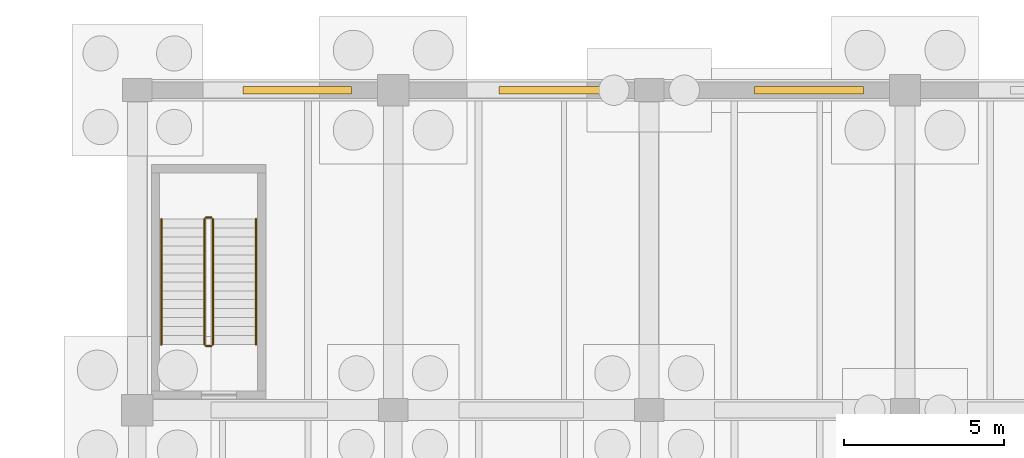
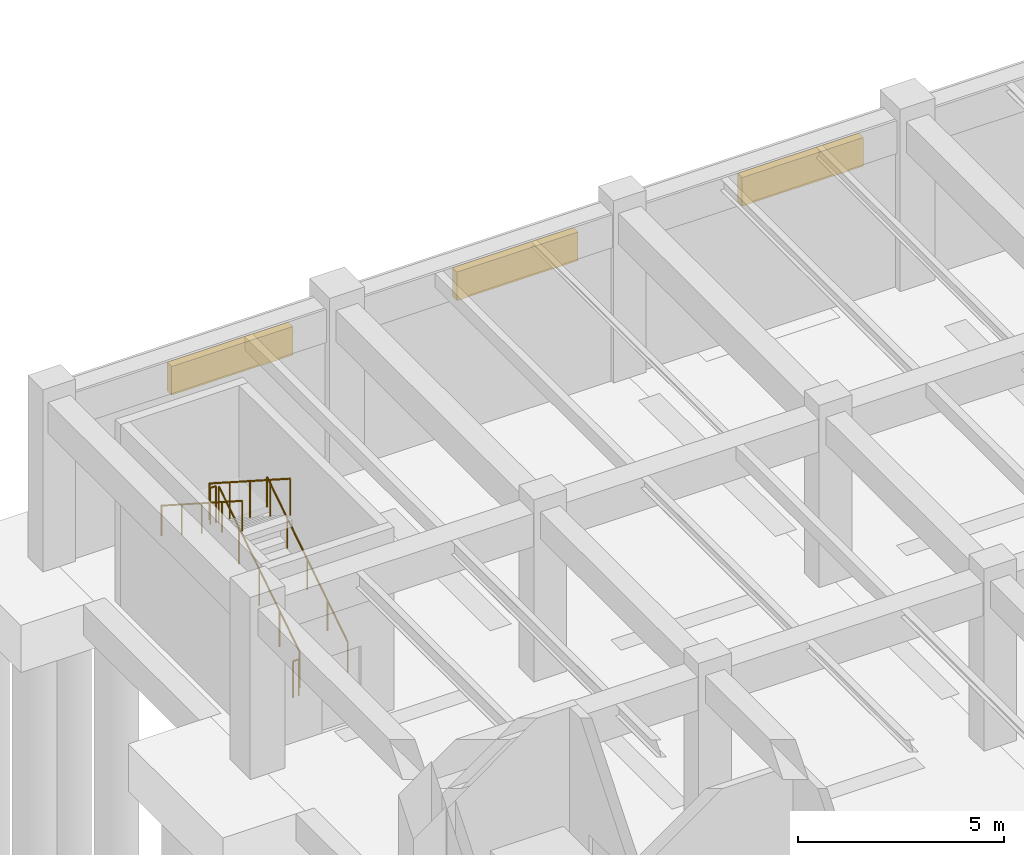
# One storey, part 41 of 44: 6 railings, 3 shading devices.
"""IFC4 building model written with IfcOpenShell, lengths in metres."""

from ifc_helpers import new_model, si_unit, direction, frame, origin, origin_2d, place, context, subcontext, project, spatial, rectangle, circle, extrude, material, type_object, element, save


model = new_model("IFC4")

# Units and contexts
model_context = context("Model", 3, precision=1e-05, world=origin(), true_north=direction((0.0, 1.0)))
body_context = subcontext(model_context, "Body", "Model", "MODEL_VIEW")
ifc_project = project(units=[si_unit("LENGTHUNIT", "METRE"), si_unit("AREAUNIT", "SQUARE_METRE"), si_unit("VOLUMEUNIT", "CUBIC_METRE"), si_unit("PLANEANGLEUNIT", "RADIAN"), si_unit("MASSUNIT", "GRAM", prefix="KILO")], contexts=[model_context])

# Site, building, storey
site_placement = place(None, origin())
site = spatial("IfcSite", under=ifc_project, at=site_placement, CompositionType="ELEMENT")
building_placement = place(site_placement, origin())
building = spatial("IfcBuilding", under=site, at=building_placement, Name="Pecanmere Concourse Central Library", CompositionType="ELEMENT")
storey_placement = place(building_placement, frame((0.0, 0.0, -5.39990234375)))
storey = spatial("IfcBuildingStorey", under=building, at=storey_placement, Name="B1", CompositionType="ELEMENT", Elevation=-5.39990234375)

# Railings
ifc_material_1 = material(Name="Painted architectural steel ASTM A36", Category="steel")
railing_type_1 = type_object("IfcRailingType", Name="RAIL_STAIR_GUARD", PredefinedType="GUARDRAIL", material=ifc_material_1)
railing_1_placement = place(storey_placement, frame((74.360107421875, 116.050048828125, 0.179931640625)))
element("IfcRailing", 1, at=railing_1_placement, inside=storey, type_object=railing_type_1, Name="B1 ST-03 Guard 1", PredefinedType="GUARDRAIL", context=body_context, shape_type="SweptSolid", body=[
    extrude(circle(Radius=0.02392578125, at=origin_2d()), frame((0.0, 0.0, 1.076171875), z_axis=(0.0, 0.841171666519, 0.540768182723), x_axis=(-1.0, 0.0, 0.0)), (0.0, 0.0, 1.0), 4.66015625),
    extrude(circle(Radius=0.02099609375, at=origin_2d()), origin(), (0.0, 0.0, 1.0), 1.052001953125),
    extrude(circle(Radius=0.02099609375, at=origin_2d()), frame((0.0, 0.97998046875, 0.6298828125)), (0.0, 0.0, 1.0), 1.052001953125),
    extrude(circle(Radius=0.02099609375, at=origin_2d()), frame((0.0, 1.9599609375, 1.260009765625)), (0.0, 0.0, 1.0), 1.052001953125),
    extrude(circle(Radius=0.02099609375, at=origin_2d()), frame((0.0, 2.93994140625, 1.89013671875)), (0.0, 0.0, 1.0), 1.052001953125),
    extrude(circle(Radius=0.02099609375, at=origin_2d()), frame((0.0, 3.919921875, 2.52001953125)), (0.0, 0.0, 1.0), 1.052001953125),
])
railing_2_placement = place(storey_placement, frame((74.31005859375, 120.02001953125, 2.699951171875)))
element("IfcRailing", 2, at=railing_2_placement, inside=storey, type_object=railing_type_1, Name="B1 ST-03 Guard 2", PredefinedType="GUARDRAIL", context=body_context, shape_type="SweptSolid", body=[
    extrude(circle(Radius=0.02392578125, at=origin_2d()), frame((0.0, 0.0, 1.076171875), z_axis=(-1.0, 0.0, 0.0), x_axis=(0.0, -1.0, 0.0)), (0.0, 0.0, 1.0), 0.16015625),
    extrude(circle(Radius=0.02099609375, at=origin_2d()), origin(), (0.0, 0.0, 1.0), 1.052001953125),
    extrude(circle(Radius=0.02099609375, at=origin_2d()), frame((-0.16015625, 0.0, 0.0)), (0.0, 0.0, 1.0), 1.052001953125),
])
railing_3_placement = place(storey_placement, frame((74.10009765625, 119.969970703125, 2.8798828125)))
element("IfcRailing", 3, at=railing_3_placement, inside=storey, type_object=railing_type_1, Name="B1 ST-03 Guard 3", PredefinedType="GUARDRAIL", context=body_context, shape_type="SweptSolid", body=[
    extrude(circle(Radius=0.02392578125, at=origin_2d()), frame((0.0, 0.0, 1.076171875), z_axis=(0.0, -0.841171666519, 0.540768182723), x_axis=(1.0, 0.0, 0.0)), (0.0, 0.0, 1.0), 4.66015625),
    extrude(circle(Radius=0.02099609375, at=origin_2d()), origin(), (0.0, 0.0, 1.0), 1.052001953125),
    extrude(circle(Radius=0.02099609375, at=origin_2d()), frame((0.0, -0.97998046875, 0.6298828125)), (0.0, 0.0, 1.0), 1.052001953125),
    extrude(circle(Radius=0.02099609375, at=origin_2d()), frame((0.0, -1.9599609375, 1.260009765625)), (0.0, 0.0, 1.0), 1.052001953125),
    extrude(circle(Radius=0.02099609375, at=origin_2d()), frame((0.0, -2.93994140625, 1.89013671875)), (0.0, 0.0, 1.0), 1.052001953125),
    extrude(circle(Radius=0.02099609375, at=origin_2d()), frame((0.0, -3.919921875, 2.52001953125)), (0.0, 0.0, 1.0), 1.052001953125),
])
railing_4_placement = place(storey_placement, frame((74.31005859375, 116.0, 0.0)))
element("IfcRailing", 4, at=railing_4_placement, inside=storey, type_object=railing_type_1, Name="B1 ST-03 Guard 4", PredefinedType="GUARDRAIL", context=body_context, shape_type="SweptSolid", body=[
    extrude(circle(Radius=0.02392578125, at=origin_2d()), frame((0.0, 0.0, 1.076171875), z_axis=(-1.0, 0.0, 0.0), x_axis=(0.0, -1.0, 0.0)), (0.0, 0.0, 1.0), 0.16015625),
    extrude(circle(Radius=0.02099609375, at=origin_2d()), origin(), (0.0, 0.0, 1.0), 1.052001953125),
    extrude(circle(Radius=0.02099609375, at=origin_2d()), frame((-0.16015625, 0.0, 0.0)), (0.0, 0.0, 1.0), 1.052001953125),
])
ifc_material_2 = material(Name="Brushed stainless steel Grade 316", Category="steel")
railing_type_2 = type_object("IfcRailingType", Name="RAIL_STAIR_HR", PredefinedType="HANDRAIL", material=ifc_material_2)
railing_5_placement = place(storey_placement, frame((75.7099609375, 116.050048828125, 0.179931640625)))
element("IfcRailing", 5, at=railing_5_placement, inside=storey, type_object=railing_type_2, Name="B1 ST-03 Handrail 1", PredefinedType="HANDRAIL", context=body_context, shape_type="SweptSolid", body=[
    extrude(circle(Radius=0.02392578125, at=origin_2d()), frame((0.0, 0.0, 0.89111328125), z_axis=(0.0, 0.841171666519, 0.540768182723), x_axis=(-1.0, 0.0, 0.0)), (0.0, 0.0, 1.0), 4.66015625),
    extrude(circle(Radius=0.02099609375, at=origin_2d()), origin(), (0.0, 0.0, 1.0), 0.866943359375),
    extrude(circle(Radius=0.02099609375, at=origin_2d()), frame((0.0, 0.97998046875, 0.6298828125)), (0.0, 0.0, 1.0), 0.866943359375),
    extrude(circle(Radius=0.02099609375, at=origin_2d()), frame((0.0, 1.9599609375, 1.260009765625)), (0.0, 0.0, 1.0), 0.866943359375),
    extrude(circle(Radius=0.02099609375, at=origin_2d()), frame((0.0, 2.93994140625, 1.89013671875)), (0.0, 0.0, 1.0), 0.866943359375),
    extrude(circle(Radius=0.02099609375, at=origin_2d()), frame((0.0, 3.919921875, 2.52001953125)), (0.0, 0.0, 1.0), 0.866943359375),
])
railing_6_placement = place(storey_placement, frame((72.75, 119.969970703125, 2.8798828125)))
element("IfcRailing", 6, at=railing_6_placement, inside=storey, type_object=railing_type_2, Name="B1 ST-03 Handrail 2", PredefinedType="HANDRAIL", context=body_context, shape_type="SweptSolid", body=[
    extrude(circle(Radius=0.02392578125, at=origin_2d()), frame((0.0, 0.0, 0.89111328125), z_axis=(0.0, -0.841171666519, 0.540768182723), x_axis=(1.0, 0.0, 0.0)), (0.0, 0.0, 1.0), 4.66015625),
    extrude(circle(Radius=0.02099609375, at=origin_2d()), origin(), (0.0, 0.0, 1.0), 0.866943359375),
    extrude(circle(Radius=0.02099609375, at=origin_2d()), frame((0.0, -0.97998046875, 0.6298828125)), (0.0, 0.0, 1.0), 0.866943359375),
    extrude(circle(Radius=0.02099609375, at=origin_2d()), frame((0.0, -1.9599609375, 1.260009765625)), (0.0, 0.0, 1.0), 0.866943359375),
    extrude(circle(Radius=0.02099609375, at=origin_2d()), frame((0.0, -2.93994140625, 1.89013671875)), (0.0, 0.0, 1.0), 0.866943359375),
    extrude(circle(Radius=0.02099609375, at=origin_2d()), frame((0.0, -3.919921875, 2.52001953125)), (0.0, 0.0, 1.0), 0.866943359375),
])

# Shading devices
ifc_material_3 = material(Name="Architectural anodized bronze")
shading_device_type = type_object("IfcShadingDeviceType", Name="SHD_LOUVRE_1", PredefinedType="JALOUSIE", material=ifc_material_3)
for number, where, z_axis, x_axis, name in (
    (7, (77.0, 124.0, 3.77490234375), (0.0, 0.0, 1.0), (1.0, 0.0, 0.0), "Intake Louvre SHD-05"),
    (8, (85.0, 124.0, 3.77490234375), (0.0, 0.0, 1.0), (1.0, 0.0, 0.0), "Intake Louvre SHD-06"),
    (9, (93.0, 124.0, 3.77490234375), (0.0, 0.0, 1.0), (1.0, 0.0, 0.0), "Intake Louvre SHD-07"),
):
    element("IfcShadingDevice", number, at=place(storey_placement, frame(where, z_axis=z_axis, x_axis=x_axis)), inside=storey, type_object=shading_device_type, Name=name, PredefinedType="JALOUSIE", context=body_context, shape_type="SweptSolid", body=[
        extrude(rectangle(XDim=3.39990234375, YDim=0.219970703125, at=origin_2d()), origin(), (0.0, 0.0, 1.0), 0.85009765625),
    ])

save(model, "model.ifc")
